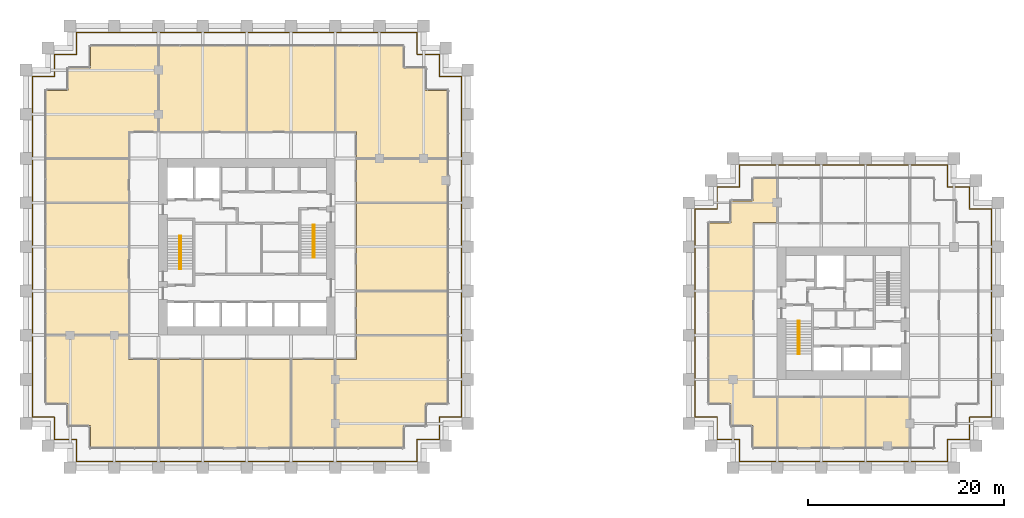
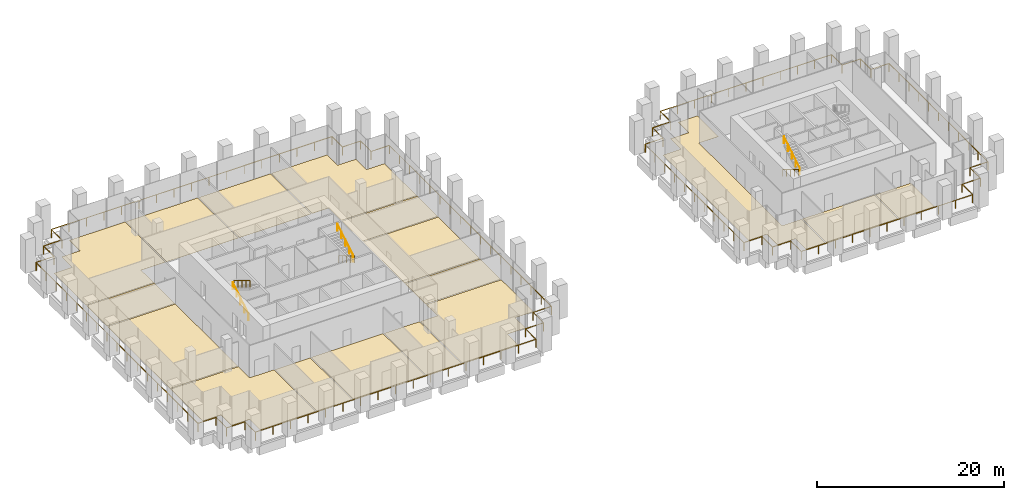
# One storey, part 35 of 36: 17 coverings, 8 railings.
"""IFC4 building model written with IfcOpenShell, lengths in metres."""

from ifc_helpers import new_model, si_unit, direction, frame, origin, origin_2d, place, context, subcontext, project, spatial, polyline, circle, outline, extrude, source, transform, mapped, material, layer, layer_set, type_object, element, save


model = new_model("IFC4")

# Units and contexts
model_context = context("Model", 3, precision=1e-05, world=origin(), true_north=direction((0.0, 1.0)))
body_context = subcontext(model_context, "Body", "Model", "MODEL_VIEW")
ifc_project = project(units=[si_unit("LENGTHUNIT", "METRE"), si_unit("AREAUNIT", "SQUARE_METRE"), si_unit("VOLUMEUNIT", "CUBIC_METRE"), si_unit("PLANEANGLEUNIT", "RADIAN"), si_unit("MASSUNIT", "GRAM", prefix="KILO")], contexts=[model_context])

# Site, building, storey
site_placement = place(None, origin())
site = spatial("IfcSite", under=ifc_project, at=site_placement, CompositionType="ELEMENT")
building_placement = place(site_placement, origin())
building = spatial("IfcBuilding", under=site, at=building_placement, Name="Altepetl Exchange Towers", CompositionType="ELEMENT")
storey_placement = place(building_placement, frame((0.0, 0.0, 25.39990234375)))
storey = spatial("IfcBuildingStorey", under=building, at=storey_placement, Name="L05", CompositionType="ELEMENT", Elevation=25.39990234375)

# Coverings
ifc_material_1 = material(Name="Carpet tile")
ifc_layer_1 = layer(ifc_material_1, 0.02001953125)
ifc_layer_set_1 = layer_set([ifc_layer_1], Name="Carpet tile")
covering_type_1 = type_object("IfcCoveringType", Name="Carpet tile floor", PredefinedType="FLOORING", material=ifc_layer_set_1)
covering_1_placement = place(storey_placement, origin())
element("IfcCovering", 1, at=covering_1_placement, inside=storey, type_object=covering_type_1, Name="Quiet room floor finish A05.03", PredefinedType="FLOORING", context=body_context, shape_type="SweptSolid", body=[
    extrude(outline(polyline([(44.9375, 29.0625), (44.9375, 38.03759765625), (40.5625, 38.03759765625), (40.5625, 29.0625), (44.9375, 29.0625)])), origin(), (0.0, 0.0, 1.0), 0.02001953125),
])
covering_2_placement = place(storey_placement, origin())
element("IfcCovering", 2, at=covering_2_placement, inside=storey, type_object=covering_type_1, Name="Pantry floor finish A05.05", PredefinedType="FLOORING", context=body_context, shape_type="SweptSolid", body=[
    extrude(outline(polyline([(58.4375, 29.0625), (58.4375, 38.03759765625), (54.0625, 38.03759765625), (54.0625, 29.0625), (58.4375, 29.0625)])), origin(), (0.0, 0.0, 1.0), 0.02001953125),
])
covering_3_placement = place(storey_placement, origin())
element("IfcCovering", 3, at=covering_3_placement, inside=storey, type_object=covering_type_1, Name="Open office floor finish A05.06", PredefinedType="FLOORING", context=body_context, shape_type="SweptSolid", body=[
    extrude(outline(polyline([(58.5625, 29.0625), (65.4375, 29.0625), (65.4375, 31.3125), (67.6875, 31.3125), (67.6875, 33.5625), (69.9375, 33.5625), (69.9375, 40.4375), (60.66259765625, 40.4375), (60.66259765625, 38.03759765625), (58.5625, 38.03759765625), (58.5625, 29.0625)])), origin(), (0.0, 0.0, 1.0), 0.02001953125),
])
covering_4_placement = place(storey_placement, origin())
element("IfcCovering", 4, at=covering_4_placement, inside=storey, type_object=covering_type_1, Name="Interview room floor finish A05.07", PredefinedType="FLOORING", context=body_context, shape_type="SweptSolid", body=[
    extrude(outline(polyline([(69.9375, 44.9375), (60.66259765625, 44.9375), (60.66259765625, 40.5625), (69.9375, 40.5625), (69.9375, 44.9375)])), origin(), (0.0, 0.0, 1.0), 0.02001953125),
])
covering_5_placement = place(storey_placement, origin())
element("IfcCovering", 5, at=covering_5_placement, inside=storey, type_object=covering_type_1, Name="Open office floor finish A05.11", PredefinedType="FLOORING", context=body_context, shape_type="SweptSolid", body=[
    extrude(outline(polyline([(49.5625, 69.9375), (49.5625, 61.262451171875), (58.4375, 61.262451171875), (58.4375, 69.9375), (49.5625, 69.9375)])), origin(), (0.0, 0.0, 1.0), 0.02001953125),
])
covering_6_placement = place(storey_placement, origin())
element("IfcCovering", 6, at=covering_6_placement, inside=storey, type_object=covering_type_1, Name="Meeting room floor finish A05.12", PredefinedType="FLOORING", context=body_context, shape_type="SweptSolid", body=[
    extrude(outline(polyline([(40.5625, 69.9375), (40.5625, 61.262451171875), (49.4375, 61.262451171875), (49.4375, 69.9375), (40.5625, 69.9375)])), origin(), (0.0, 0.0, 1.0), 0.02001953125),
])
covering_7_placement = place(storey_placement, origin())
element("IfcCovering", 7, at=covering_7_placement, inside=storey, type_object=covering_type_1, Name="Open office floor finish A05.13", PredefinedType="FLOORING", context=body_context, shape_type="SweptSolid", body=[
    extrude(outline(polyline([(33.5625, 67.6875), (31.3125, 67.6875), (31.3125, 65.4375), (29.0625, 65.4375), (29.0625, 58.5625), (37.4375, 58.5625), (37.4375, 61.262451171875), (40.4375, 61.262451171875), (40.4375, 69.9375), (33.5625, 69.9375), (33.5625, 67.6875)])), origin(), (0.0, 0.0, 1.0), 0.02001953125),
])
covering_8_placement = place(storey_placement, origin())
element("IfcCovering", 8, at=covering_8_placement, inside=storey, type_object=covering_type_1, Name="Open office floor finish B05.01", PredefinedType="FLOORING", context=body_context, shape_type="SweptSolid", body=[
    extrude(outline(polyline([(101.0625, 54.1875), (98.8125, 54.1875), (98.8125, 51.9375), (96.5625, 51.9375), (96.5625, 33.5625), (98.8125, 33.5625), (98.8125, 31.3125), (101.0625, 31.3125), (101.0625, 29.0625), (103.4375, 29.0625), (103.4375, 34.137451171875), (101.03759765625, 34.137451171875), (101.03759765625, 51.96240234375), (103.4375, 51.96240234375), (103.4375, 56.4375), (101.0625, 56.4375), (101.0625, 54.1875)])), origin(), (0.0, 0.0, 1.0), 0.02001953125),
])
covering_9_placement = place(storey_placement, origin())
element("IfcCovering", 9, at=covering_9_placement, inside=storey, type_object=covering_type_1, Name="Quiet room floor finish B05.03", PredefinedType="FLOORING", context=body_context, shape_type="SweptSolid", body=[
    extrude(outline(polyline([(116.9375, 29.0625), (116.9375, 34.137451171875), (112.5625, 34.137451171875), (112.5625, 29.0625), (116.9375, 29.0625)])), origin(), (0.0, 0.0, 1.0), 0.02001953125),
])
ifc_material_2 = material(Name="Calcium sulphate access floor panel")
ifc_layer_2 = layer(ifc_material_2, 0.0400390625)
ifc_layer_set_2 = layer_set([ifc_layer_2], Name="Calcium sulphate access floor panel")
covering_type_2 = type_object("IfcCoveringType", Name="Raised access floor panels", PredefinedType="FLOORING", material=ifc_layer_set_2)
covering_10_placement = place(storey_placement, origin())
element("IfcCovering", 10, at=covering_10_placement, inside=storey, type_object=covering_type_2, Name="Trading office floor finish A05.01", PredefinedType="FLOORING", context=body_context, shape_type="SweptSolid", body=[
    extrude(outline(polyline([(29.0625, 40.5625), (37.4375, 40.5625), (37.4375, 53.9375), (29.0625, 53.9375), (29.0625, 40.5625)])), origin(), (0.0, 0.0, 1.0), 0.0400390625),
])
covering_11_placement = place(storey_placement, origin())
element("IfcCovering", 11, at=covering_11_placement, inside=storey, type_object=covering_type_2, Name="Trading office floor finish A05.02", PredefinedType="FLOORING", context=body_context, shape_type="SweptSolid", body=[
    extrude(outline(polyline([(40.4375, 29.0625), (40.4375, 38.03759765625), (37.4375, 38.03759765625), (37.4375, 40.4375), (29.0625, 40.4375), (29.0625, 33.5625), (31.3125, 33.5625), (31.3125, 31.3125), (33.5625, 31.3125), (33.5625, 29.0625), (40.4375, 29.0625)])), origin(), (0.0, 0.0, 1.0), 0.0400390625),
])
covering_12_placement = place(storey_placement, origin())
element("IfcCovering", 12, at=covering_12_placement, inside=storey, type_object=covering_type_2, Name="Trading office floor finish A05.04", PredefinedType="FLOORING", context=body_context, shape_type="SweptSolid", body=[
    extrude(outline(polyline([(53.9375, 29.0625), (53.9375, 38.03759765625), (45.0625, 38.03759765625), (45.0625, 29.0625), (53.9375, 29.0625)])), origin(), (0.0, 0.0, 1.0), 0.0400390625),
])
covering_13_placement = place(storey_placement, origin())
element("IfcCovering", 13, at=covering_13_placement, inside=storey, type_object=covering_type_2, Name="Broker office floor finish A05.08", PredefinedType="FLOORING", context=body_context, shape_type="SweptSolid", body=[
    extrude(outline(polyline([(69.9375, 53.9375), (60.66259765625, 53.9375), (60.66259765625, 45.0625), (69.9375, 45.0625), (69.9375, 53.9375)])), origin(), (0.0, 0.0, 1.0), 0.0400390625),
])
covering_14_placement = place(storey_placement, origin())
element("IfcCovering", 14, at=covering_14_placement, inside=storey, type_object=covering_type_2, Name="Data room floor finish A05.09", PredefinedType="FLOORING", context=body_context, shape_type="SweptSolid", body=[
    extrude(outline(polyline([(69.9375, 58.4375), (60.66259765625, 58.4375), (60.66259765625, 54.0625), (69.9375, 54.0625), (69.9375, 58.4375)])), origin(), (0.0, 0.0, 1.0), 0.0400390625),
])
covering_15_placement = place(storey_placement, origin())
element("IfcCovering", 15, at=covering_15_placement, inside=storey, type_object=covering_type_2, Name="Broker office floor finish A05.10", PredefinedType="FLOORING", context=body_context, shape_type="SweptSolid", body=[
    extrude(outline(polyline([(58.5625, 69.9375), (58.5625, 61.262451171875), (60.66259765625, 61.262451171875), (60.66259765625, 58.5625), (69.9375, 58.5625), (69.9375, 65.4375), (67.6875, 65.4375), (67.6875, 67.6875), (65.4375, 67.6875), (65.4375, 69.9375), (58.5625, 69.9375)])), origin(), (0.0, 0.0, 1.0), 0.0400390625),
])
covering_16_placement = place(storey_placement, origin())
element("IfcCovering", 16, at=covering_16_placement, inside=storey, type_object=covering_type_2, Name="Data room floor finish A05.14", PredefinedType="FLOORING", context=body_context, shape_type="SweptSolid", body=[
    extrude(outline(polyline([(29.0625, 54.0625), (37.4375, 54.0625), (37.4375, 58.4375), (29.0625, 58.4375), (29.0625, 54.0625)])), origin(), (0.0, 0.0, 1.0), 0.0400390625),
])
covering_17_placement = place(storey_placement, origin())
element("IfcCovering", 17, at=covering_17_placement, inside=storey, type_object=covering_type_2, Name="Trading office floor finish B05.02", PredefinedType="FLOORING", context=body_context, shape_type="SweptSolid", body=[
    extrude(outline(polyline([(103.5625, 34.137451171875), (103.5625, 29.0625), (112.4375, 29.0625), (112.4375, 34.137451171875), (103.5625, 34.137451171875)])), origin(), (0.0, 0.0, 1.0), 0.0400390625),
])

# Railings
ifc_material_3 = material(Name="Steel S355", Category="steel")
railing_type_1 = type_object("IfcRailingType", Name="Guard 1100 steel posts and rail", PredefinedType="GUARDRAIL", material=ifc_material_3)
shared_shape_1 = source(origin(), body_context, "Body", "SweptSolid", [
    extrude(circle(Radius=0.02099609375, at=origin_2d()), origin(), (0.0, 0.0, 1.0), 1.052001953125),
])
railing_1_placement = place(storey_placement, frame((27.64990234375, 66.85009765625, 0.0)))
element("IfcRailing", 18, at=railing_1_placement, inside=storey, type_object=railing_type_1, Name="Loggia guard", PredefinedType="GUARDRAIL", context=body_context, shape_type="SweptSolid", body=[
    extrude(circle(Radius=0.02392578125, at=origin_2d()), frame((0.0, 0.0, 1.076171875), z_axis=(0.0, -1.0, 0.0), x_axis=(1.0, 0.0, 0.0)), (0.0, 0.0, 1.0), 34.7001953125),
    extrude(circle(Radius=0.02392578125, at=origin_2d()), frame((0.0, -34.7001953125, 1.076171875), z_axis=(1.0, 0.0, 0.0), x_axis=(0.0, 1.0, 0.0)), (0.0, 0.0, 1.0), 2.25),
    extrude(circle(Radius=0.02392578125, at=origin_2d()), frame((2.25, -34.7001953125, 1.076171875), z_axis=(0.0, -1.0, 0.0), x_axis=(1.0, 0.0, 0.0)), (0.0, 0.0, 1.0), 2.25),
    extrude(circle(Radius=0.02392578125, at=origin_2d()), frame((2.25, -36.9501953125, 1.076171875), z_axis=(1.0, 0.0, 0.0), x_axis=(0.0, 1.0, 0.0)), (0.0, 0.0, 1.0), 2.25),
    extrude(circle(Radius=0.02392578125, at=origin_2d()), frame((4.5, -36.9501953125, 1.076171875), z_axis=(0.0, -1.0, 0.0), x_axis=(1.0, 0.0, 0.0)), (0.0, 0.0, 1.0), 2.25),
    extrude(circle(Radius=0.02392578125, at=origin_2d()), frame((4.5, -39.2001953125, 1.076171875), z_axis=(1.0, 0.0, 0.0), x_axis=(0.0, 1.0, 0.0)), (0.0, 0.0, 1.0), 34.7001953125),
    extrude(circle(Radius=0.02392578125, at=origin_2d()), frame((39.2001953125, -39.2001953125, 1.076171875), z_axis=(0.0, 1.0, 0.0), x_axis=(-1.0, 0.0, 0.0)), (0.0, 0.0, 1.0), 2.25),
    extrude(circle(Radius=0.02392578125, at=origin_2d()), frame((39.2001953125, -36.9501953125, 1.076171875), z_axis=(1.0, 0.0, 0.0), x_axis=(0.0, 1.0, 0.0)), (0.0, 0.0, 1.0), 2.25),
    extrude(circle(Radius=0.02392578125, at=origin_2d()), frame((41.4501953125, -36.9501953125, 1.076171875), z_axis=(0.0, 1.0, 0.0), x_axis=(-1.0, 0.0, 0.0)), (0.0, 0.0, 1.0), 2.25),
    extrude(circle(Radius=0.02392578125, at=origin_2d()), frame((41.4501953125, -34.7001953125, 1.076171875), z_axis=(1.0, 0.0, 0.0), x_axis=(0.0, 1.0, 0.0)), (0.0, 0.0, 1.0), 2.25),
    extrude(circle(Radius=0.02392578125, at=origin_2d()), frame((43.7001953125, -34.7001953125, 1.076171875), z_axis=(0.0, 1.0, 0.0), x_axis=(-1.0, 0.0, 0.0)), (0.0, 0.0, 1.0), 34.7001953125),
    extrude(circle(Radius=0.02392578125, at=origin_2d()), frame((43.7001953125, 0.0, 1.076171875), z_axis=(-1.0, 0.0, 0.0), x_axis=(0.0, -1.0, 0.0)), (0.0, 0.0, 1.0), 2.25),
    extrude(circle(Radius=0.02392578125, at=origin_2d()), frame((41.4501953125, 0.0, 1.076171875), z_axis=(0.0, 1.0, 0.0), x_axis=(-1.0, 0.0, 0.0)), (0.0, 0.0, 1.0), 2.25),
    extrude(circle(Radius=0.02392578125, at=origin_2d()), frame((41.4501953125, 2.25, 1.076171875), z_axis=(-1.0, 0.0, 0.0), x_axis=(0.0, -1.0, 0.0)), (0.0, 0.0, 1.0), 2.25),
    extrude(circle(Radius=0.02392578125, at=origin_2d()), frame((39.2001953125, 2.25, 1.076171875), z_axis=(0.0, 1.0, 0.0), x_axis=(-1.0, 0.0, 0.0)), (0.0, 0.0, 1.0), 2.25),
    extrude(circle(Radius=0.02392578125, at=origin_2d()), frame((39.2001953125, 4.5, 1.076171875), z_axis=(-1.0, 0.0, 0.0), x_axis=(0.0, -1.0, 0.0)), (0.0, 0.0, 1.0), 34.7001953125),
    extrude(circle(Radius=0.02392578125, at=origin_2d()), frame((4.5, 4.5, 1.076171875), z_axis=(0.0, -1.0, 0.0), x_axis=(1.0, 0.0, 0.0)), (0.0, 0.0, 1.0), 2.25),
    extrude(circle(Radius=0.02392578125, at=origin_2d()), frame((4.5, 2.25, 1.076171875), z_axis=(-1.0, 0.0, 0.0), x_axis=(0.0, -1.0, 0.0)), (0.0, 0.0, 1.0), 2.25),
    extrude(circle(Radius=0.02392578125, at=origin_2d()), frame((2.25, 2.25, 1.076171875), z_axis=(0.0, -1.0, 0.0), x_axis=(1.0, 0.0, 0.0)), (0.0, 0.0, 1.0), 2.25),
    extrude(circle(Radius=0.02392578125, at=origin_2d()), frame((2.25, 0.0, 1.076171875), z_axis=(-1.0, 0.0, 0.0), x_axis=(0.0, -1.0, 0.0)), (0.0, 0.0, 1.0), 2.14990234375),
    mapped(shared_shape_1, transform((0.0, 0.0, 0.0))),
    mapped(shared_shape_1, transform((0.0, -2.168701171875, 0.0))),
    mapped(shared_shape_1, transform((0.0, -4.33740234375, 0.0))),
    mapped(shared_shape_1, transform((0.0, -6.50634765625, 0.0))),
    mapped(shared_shape_1, transform((0.0, -8.675048828125, 0.0))),
    mapped(shared_shape_1, transform((0.0, -10.84375, 0.0))),
    mapped(shared_shape_1, transform((0.0, -13.0126953125, 0.0))),
    mapped(shared_shape_1, transform((0.0, -15.181396484375, 0.0))),
    mapped(shared_shape_1, transform((0.0, -17.35009765625, 0.0))),
    mapped(shared_shape_1, transform((0.0, -19.518798828125, 0.0))),
    mapped(shared_shape_1, transform((0.0, -21.6875, 0.0))),
    mapped(shared_shape_1, transform((0.0, -23.8564453125, 0.0))),
    mapped(shared_shape_1, transform((0.0, -26.025146484375, 0.0))),
    mapped(shared_shape_1, transform((0.0, -28.19384765625, 0.0))),
    mapped(shared_shape_1, transform((0.0, -30.36279296875, 0.0))),
    mapped(shared_shape_1, transform((0.0, -32.531494140625, 0.0))),
    mapped(shared_shape_1, transform((0.0, -34.7001953125, 0.0))),
    mapped(shared_shape_1, transform((2.25, -34.7001953125, 0.0))),
    mapped(shared_shape_1, transform((2.25, -36.9501953125, 0.0))),
    mapped(shared_shape_1, transform((4.5, -36.9501953125, 0.0))),
    mapped(shared_shape_1, transform((4.5, -39.2001953125, 0.0))),
    mapped(shared_shape_1, transform((6.668701171875, -39.2001953125, 0.0))),
    mapped(shared_shape_1, transform((8.83740234375, -39.2001953125, 0.0))),
    mapped(shared_shape_1, transform((11.00634765625, -39.2001953125, 0.0))),
    mapped(shared_shape_1, transform((13.175048828125, -39.2001953125, 0.0))),
    mapped(shared_shape_1, transform((15.34375, -39.2001953125, 0.0))),
    mapped(shared_shape_1, transform((17.5126953125, -39.2001953125, 0.0))),
    mapped(shared_shape_1, transform((19.681396484375, -39.2001953125, 0.0))),
    mapped(shared_shape_1, transform((21.85009765625, -39.2001953125, 0.0))),
    mapped(shared_shape_1, transform((24.018798828125, -39.2001953125, 0.0))),
    mapped(shared_shape_1, transform((26.1875, -39.2001953125, 0.0))),
    mapped(shared_shape_1, transform((28.3564453125, -39.2001953125, 0.0))),
    mapped(shared_shape_1, transform((30.525146484375, -39.2001953125, 0.0))),
    mapped(shared_shape_1, transform((32.69384765625, -39.2001953125, 0.0))),
    mapped(shared_shape_1, transform((34.86279296875, -39.2001953125, 0.0))),
    mapped(shared_shape_1, transform((37.031494140625, -39.2001953125, 0.0))),
    mapped(shared_shape_1, transform((39.2001953125, -39.2001953125, 0.0))),
    mapped(shared_shape_1, transform((39.2001953125, -36.9501953125, 0.0))),
    mapped(shared_shape_1, transform((41.4501953125, -36.9501953125, 0.0))),
    mapped(shared_shape_1, transform((41.4501953125, -34.7001953125, 0.0))),
    mapped(shared_shape_1, transform((43.7001953125, -34.7001953125, 0.0))),
    mapped(shared_shape_1, transform((43.7001953125, -32.531494140625, 0.0))),
    mapped(shared_shape_1, transform((43.7001953125, -30.36279296875, 0.0))),
    mapped(shared_shape_1, transform((43.7001953125, -28.19384765625, 0.0))),
    mapped(shared_shape_1, transform((43.7001953125, -26.025146484375, 0.0))),
    mapped(shared_shape_1, transform((43.7001953125, -23.8564453125, 0.0))),
    mapped(shared_shape_1, transform((43.7001953125, -21.6875, 0.0))),
    mapped(shared_shape_1, transform((43.7001953125, -19.518798828125, 0.0))),
    mapped(shared_shape_1, transform((43.7001953125, -17.35009765625, 0.0))),
    mapped(shared_shape_1, transform((43.7001953125, -15.181396484375, 0.0))),
    mapped(shared_shape_1, transform((43.7001953125, -13.0126953125, 0.0))),
    mapped(shared_shape_1, transform((43.7001953125, -10.84375, 0.0))),
    mapped(shared_shape_1, transform((43.7001953125, -8.675048828125, 0.0))),
    mapped(shared_shape_1, transform((43.7001953125, -6.50634765625, 0.0))),
    mapped(shared_shape_1, transform((43.7001953125, -4.33740234375, 0.0))),
    mapped(shared_shape_1, transform((43.7001953125, -2.168701171875, 0.0))),
    mapped(shared_shape_1, transform((43.7001953125, 0.0, 0.0))),
    mapped(shared_shape_1, transform((41.4501953125, 0.0, 0.0))),
    mapped(shared_shape_1, transform((41.4501953125, 2.25, 0.0))),
    mapped(shared_shape_1, transform((39.2001953125, 2.25, 0.0))),
    mapped(shared_shape_1, transform((39.2001953125, 4.5, 0.0))),
    mapped(shared_shape_1, transform((37.031494140625, 4.5, 0.0))),
    mapped(shared_shape_1, transform((34.86279296875, 4.5, 0.0))),
    mapped(shared_shape_1, transform((32.69384765625, 4.5, 0.0))),
    mapped(shared_shape_1, transform((30.525146484375, 4.5, 0.0))),
    mapped(shared_shape_1, transform((28.3564453125, 4.5, 0.0))),
    mapped(shared_shape_1, transform((26.1875, 4.5, 0.0))),
    mapped(shared_shape_1, transform((24.018798828125, 4.5, 0.0))),
    mapped(shared_shape_1, transform((21.85009765625, 4.5, 0.0))),
    mapped(shared_shape_1, transform((19.681396484375, 4.5, 0.0))),
    mapped(shared_shape_1, transform((17.5126953125, 4.5, 0.0))),
    mapped(shared_shape_1, transform((15.34375, 4.5, 0.0))),
    mapped(shared_shape_1, transform((13.175048828125, 4.5, 0.0))),
    mapped(shared_shape_1, transform((11.00634765625, 4.5, 0.0))),
    mapped(shared_shape_1, transform((8.83740234375, 4.5, 0.0))),
    mapped(shared_shape_1, transform((6.668701171875, 4.5, 0.0))),
    mapped(shared_shape_1, transform((4.5, 4.5, 0.0))),
    mapped(shared_shape_1, transform((4.5, 2.25, 0.0))),
    mapped(shared_shape_1, transform((2.25, 2.25, 0.0))),
    mapped(shared_shape_1, transform((2.25, 0.0, 0.0))),
    mapped(shared_shape_1, transform((0.10009765625, 0.0, 0.0))),
])
railing_2_placement = place(storey_placement, frame((95.14990234375, 53.35009765625, 0.0)))
element("IfcRailing", 19, at=railing_2_placement, inside=storey, type_object=railing_type_1, Name="Loggia guard", PredefinedType="GUARDRAIL", context=body_context, shape_type="SweptSolid", body=[
    extrude(circle(Radius=0.02392578125, at=origin_2d()), frame((0.0, 0.0, 1.076171875), z_axis=(0.0, -1.0, 0.0), x_axis=(1.0, 0.0, 0.0)), (0.0, 0.0, 1.0), 21.2001953125),
    extrude(circle(Radius=0.02392578125, at=origin_2d()), frame((0.0, -21.2001953125, 1.076171875), z_axis=(1.0, 0.0, 0.0), x_axis=(0.0, 1.0, 0.0)), (0.0, 0.0, 1.0), 2.25),
    extrude(circle(Radius=0.02392578125, at=origin_2d()), frame((2.25, -21.2001953125, 1.076171875), z_axis=(0.0, -1.0, 0.0), x_axis=(1.0, 0.0, 0.0)), (0.0, 0.0, 1.0), 2.25),
    extrude(circle(Radius=0.02392578125, at=origin_2d()), frame((2.25, -23.4501953125, 1.076171875), z_axis=(1.0, 0.0, 0.0), x_axis=(0.0, 1.0, 0.0)), (0.0, 0.0, 1.0), 2.25),
    extrude(circle(Radius=0.02392578125, at=origin_2d()), frame((4.5, -23.4501953125, 1.076171875), z_axis=(0.0, -1.0, 0.0), x_axis=(1.0, 0.0, 0.0)), (0.0, 0.0, 1.0), 2.25),
    extrude(circle(Radius=0.02392578125, at=origin_2d()), frame((4.5, -25.7001953125, 1.076171875), z_axis=(1.0, 0.0, 0.0), x_axis=(0.0, 1.0, 0.0)), (0.0, 0.0, 1.0), 21.2001953125),
    extrude(circle(Radius=0.02392578125, at=origin_2d()), frame((25.7001953125, -25.7001953125, 1.076171875), z_axis=(0.0, 1.0, 0.0), x_axis=(-1.0, 0.0, 0.0)), (0.0, 0.0, 1.0), 2.25),
    extrude(circle(Radius=0.02392578125, at=origin_2d()), frame((25.7001953125, -23.4501953125, 1.076171875), z_axis=(1.0, 0.0, 0.0), x_axis=(0.0, 1.0, 0.0)), (0.0, 0.0, 1.0), 2.25),
    extrude(circle(Radius=0.02392578125, at=origin_2d()), frame((27.9501953125, -23.4501953125, 1.076171875), z_axis=(0.0, 1.0, 0.0), x_axis=(-1.0, 0.0, 0.0)), (0.0, 0.0, 1.0), 2.25),
    extrude(circle(Radius=0.02392578125, at=origin_2d()), frame((27.9501953125, -21.2001953125, 1.076171875), z_axis=(1.0, 0.0, 0.0), x_axis=(0.0, 1.0, 0.0)), (0.0, 0.0, 1.0), 2.25),
    extrude(circle(Radius=0.02392578125, at=origin_2d()), frame((30.2001953125, -21.2001953125, 1.076171875), z_axis=(0.0, 1.0, 0.0), x_axis=(-1.0, 0.0, 0.0)), (0.0, 0.0, 1.0), 21.2001953125),
    extrude(circle(Radius=0.02392578125, at=origin_2d()), frame((30.2001953125, 0.0, 1.076171875), z_axis=(-1.0, 0.0, 0.0), x_axis=(0.0, -1.0, 0.0)), (0.0, 0.0, 1.0), 2.25),
    extrude(circle(Radius=0.02392578125, at=origin_2d()), frame((27.9501953125, 0.0, 1.076171875), z_axis=(0.0, 1.0, 0.0), x_axis=(-1.0, 0.0, 0.0)), (0.0, 0.0, 1.0), 2.25),
    extrude(circle(Radius=0.02392578125, at=origin_2d()), frame((27.9501953125, 2.25, 1.076171875), z_axis=(-1.0, 0.0, 0.0), x_axis=(0.0, -1.0, 0.0)), (0.0, 0.0, 1.0), 2.25),
    extrude(circle(Radius=0.02392578125, at=origin_2d()), frame((25.7001953125, 2.25, 1.076171875), z_axis=(0.0, 1.0, 0.0), x_axis=(-1.0, 0.0, 0.0)), (0.0, 0.0, 1.0), 2.25),
    extrude(circle(Radius=0.02392578125, at=origin_2d()), frame((25.7001953125, 4.5, 1.076171875), z_axis=(-1.0, 0.0, 0.0), x_axis=(0.0, -1.0, 0.0)), (0.0, 0.0, 1.0), 21.2001953125),
    extrude(circle(Radius=0.02392578125, at=origin_2d()), frame((4.5, 4.5, 1.076171875), z_axis=(0.0, -1.0, 0.0), x_axis=(1.0, 0.0, 0.0)), (0.0, 0.0, 1.0), 2.25),
    extrude(circle(Radius=0.02392578125, at=origin_2d()), frame((4.5, 2.25, 1.076171875), z_axis=(-1.0, 0.0, 0.0), x_axis=(0.0, -1.0, 0.0)), (0.0, 0.0, 1.0), 2.25),
    extrude(circle(Radius=0.02392578125, at=origin_2d()), frame((2.25, 2.25, 1.076171875), z_axis=(0.0, -1.0, 0.0), x_axis=(1.0, 0.0, 0.0)), (0.0, 0.0, 1.0), 2.25),
    extrude(circle(Radius=0.02392578125, at=origin_2d()), frame((2.25, 0.0, 1.076171875), z_axis=(-1.0, 0.0, 0.0), x_axis=(0.0, -1.0, 0.0)), (0.0, 0.0, 1.0), 2.14990234375),
    mapped(shared_shape_1, transform((0.0, 0.0, 0.0))),
    mapped(shared_shape_1, transform((0.0, -2.1201171875, 0.0))),
    mapped(shared_shape_1, transform((0.0, -4.239990234375, 0.0))),
    mapped(shared_shape_1, transform((0.0, -6.360107421875, 0.0))),
    mapped(shared_shape_1, transform((0.0, -8.47998046875, 0.0))),
    mapped(shared_shape_1, transform((0.0, -10.60009765625, 0.0))),
    mapped(shared_shape_1, transform((0.0, -12.72021484375, 0.0))),
    mapped(shared_shape_1, transform((0.0, -14.840087890625, 0.0))),
    mapped(shared_shape_1, transform((0.0, -16.960205078125, 0.0))),
    mapped(shared_shape_1, transform((0.0, -19.080078125, 0.0))),
    mapped(shared_shape_1, transform((0.0, -21.2001953125, 0.0))),
    mapped(shared_shape_1, transform((2.25, -21.2001953125, 0.0))),
    mapped(shared_shape_1, transform((2.25, -23.4501953125, 0.0))),
    mapped(shared_shape_1, transform((4.5, -23.4501953125, 0.0))),
    mapped(shared_shape_1, transform((4.5, -25.7001953125, 0.0))),
    mapped(shared_shape_1, transform((6.6201171875, -25.7001953125, 0.0))),
    mapped(shared_shape_1, transform((8.739990234375, -25.7001953125, 0.0))),
    mapped(shared_shape_1, transform((10.860107421875, -25.7001953125, 0.0))),
    mapped(shared_shape_1, transform((12.97998046875, -25.7001953125, 0.0))),
    mapped(shared_shape_1, transform((15.10009765625, -25.7001953125, 0.0))),
    mapped(shared_shape_1, transform((17.22021484375, -25.7001953125, 0.0))),
    mapped(shared_shape_1, transform((19.340087890625, -25.7001953125, 0.0))),
    mapped(shared_shape_1, transform((21.460205078125, -25.7001953125, 0.0))),
    mapped(shared_shape_1, transform((23.580078125, -25.7001953125, 0.0))),
    mapped(shared_shape_1, transform((25.7001953125, -25.7001953125, 0.0))),
    mapped(shared_shape_1, transform((25.7001953125, -23.4501953125, 0.0))),
    mapped(shared_shape_1, transform((27.9501953125, -23.4501953125, 0.0))),
    mapped(shared_shape_1, transform((27.9501953125, -21.2001953125, 0.0))),
    mapped(shared_shape_1, transform((30.2001953125, -21.2001953125, 0.0))),
    mapped(shared_shape_1, transform((30.2001953125, -19.080078125, 0.0))),
    mapped(shared_shape_1, transform((30.2001953125, -16.960205078125, 0.0))),
    mapped(shared_shape_1, transform((30.2001953125, -14.840087890625, 0.0))),
    mapped(shared_shape_1, transform((30.2001953125, -12.72021484375, 0.0))),
    mapped(shared_shape_1, transform((30.2001953125, -10.60009765625, 0.0))),
    mapped(shared_shape_1, transform((30.2001953125, -8.47998046875, 0.0))),
    mapped(shared_shape_1, transform((30.2001953125, -6.360107421875, 0.0))),
    mapped(shared_shape_1, transform((30.2001953125, -4.239990234375, 0.0))),
    mapped(shared_shape_1, transform((30.2001953125, -2.1201171875, 0.0))),
    mapped(shared_shape_1, transform((30.2001953125, 0.0, 0.0))),
    mapped(shared_shape_1, transform((27.9501953125, 0.0, 0.0))),
    mapped(shared_shape_1, transform((27.9501953125, 2.25, 0.0))),
    mapped(shared_shape_1, transform((25.7001953125, 2.25, 0.0))),
    mapped(shared_shape_1, transform((25.7001953125, 4.5, 0.0))),
    mapped(shared_shape_1, transform((23.580078125, 4.5, 0.0))),
    mapped(shared_shape_1, transform((21.460205078125, 4.5, 0.0))),
    mapped(shared_shape_1, transform((19.340087890625, 4.5, 0.0))),
    mapped(shared_shape_1, transform((17.22021484375, 4.5, 0.0))),
    mapped(shared_shape_1, transform((15.10009765625, 4.5, 0.0))),
    mapped(shared_shape_1, transform((12.97998046875, 4.5, 0.0))),
    mapped(shared_shape_1, transform((10.860107421875, 4.5, 0.0))),
    mapped(shared_shape_1, transform((8.739990234375, 4.5, 0.0))),
    mapped(shared_shape_1, transform((6.6201171875, 4.5, 0.0))),
    mapped(shared_shape_1, transform((4.5, 4.5, 0.0))),
    mapped(shared_shape_1, transform((4.5, 2.25, 0.0))),
    mapped(shared_shape_1, transform((2.25, 2.25, 0.0))),
    mapped(shared_shape_1, transform((2.25, 0.0, 0.0))),
    mapped(shared_shape_1, transform((0.10009765625, 0.0, 0.0))),
])
ifc_material_4 = material(Name="Steel", Category="steel")
railing_type_2 = type_object("IfcRailingType", Name="Stair handrail 50 steel tube", PredefinedType="HANDRAIL", material=ifc_material_4)
shared_shape_2 = source(origin(), body_context, "Body", "SweptSolid", [
    extrude(circle(Radius=0.02099609375, at=origin_2d()), origin(), (0.0, 0.0, 1.0), 0.851806640625),
])
railing_3_placement = place(storey_placement, frame((42.6201171875, 47.25, 0.169189453125)))
element("IfcRailing", 20, at=railing_3_placement, inside=storey, type_object=railing_type_2, Name="Stair handrail", PredefinedType="HANDRAIL", context=body_context, shape_type="SweptSolid", body=[
    extrude(circle(Radius=0.02392578125, at=origin_2d()), frame((0.0, 0.0, 0.8759765625), z_axis=(0.0, 0.855809448938, 0.517291201461), x_axis=(-1.0, 0.0, 0.0)), (0.0, 0.0, 1.0), 3.92626953125),
    mapped(shared_shape_2, transform((0.0, 0.0, 0.0))),
    mapped(shared_shape_2, transform((0.0, 0.840087890625, 0.5078125))),
    mapped(shared_shape_2, transform((0.0, 1.68017578125, 1.015625))),
    mapped(shared_shape_2, transform((0.0, 2.52001953125, 1.523193359375))),
    mapped(shared_shape_2, transform((0.0, 3.360107421875, 2.031005859375))),
])
railing_4_placement = place(storey_placement, frame((42.780029296875, 50.610107421875, 2.369384765625)))
element("IfcRailing", 21, at=railing_4_placement, inside=storey, type_object=railing_type_2, Name="Stair handrail", PredefinedType="HANDRAIL", context=body_context, shape_type="SweptSolid", body=[
    extrude(circle(Radius=0.02392578125, at=origin_2d()), frame((0.0, 0.0, 0.8759765625), z_axis=(0.0, -0.855836976705, 0.517245656632), x_axis=(1.0, 0.0, 0.0)), (0.0, 0.0, 1.0), 3.926025390625),
    mapped(shared_shape_2, transform((0.0, 0.0, 0.0))),
    mapped(shared_shape_2, transform((0.0, -0.840087890625, 0.5078125))),
    mapped(shared_shape_2, transform((0.0, -1.68017578125, 1.015380859375))),
    mapped(shared_shape_2, transform((0.0, -2.52001953125, 1.52294921875))),
    mapped(shared_shape_2, transform((0.0, -3.360107421875, 2.03076171875))),
])
railing_5_placement = place(storey_placement, frame((56.3798828125, 51.75, 0.169189453125)))
element("IfcRailing", 22, at=railing_5_placement, inside=storey, type_object=railing_type_2, Name="Stair handrail", PredefinedType="HANDRAIL", context=body_context, shape_type="SweptSolid", body=[
    extrude(circle(Radius=0.02392578125, at=origin_2d()), frame((0.0, 0.0, 0.8759765625), z_axis=(0.0, -0.855809448938, 0.517291201461), x_axis=(1.0, 0.0, 0.0)), (0.0, 0.0, 1.0), 3.92626953125),
    mapped(shared_shape_2, transform((0.0, 0.0, 0.0))),
    mapped(shared_shape_2, transform((0.0, -0.840087890625, 0.5078125))),
    mapped(shared_shape_2, transform((0.0, -1.68017578125, 1.015625))),
    mapped(shared_shape_2, transform((0.0, -2.52001953125, 1.523193359375))),
    mapped(shared_shape_2, transform((0.0, -3.360107421875, 2.031005859375))),
])
railing_6_placement = place(storey_placement, frame((56.219970703125, 48.389892578125, 2.369384765625)))
element("IfcRailing", 23, at=railing_6_placement, inside=storey, type_object=railing_type_2, Name="Stair handrail", PredefinedType="HANDRAIL", context=body_context, shape_type="SweptSolid", body=[
    extrude(circle(Radius=0.02392578125, at=origin_2d()), frame((0.0, 0.0, 0.8759765625), z_axis=(0.0, 0.855836976705, 0.517245656632), x_axis=(-1.0, 0.0, 0.0)), (0.0, 0.0, 1.0), 3.926025390625),
    mapped(shared_shape_2, transform((0.0, 0.0, 0.0))),
    mapped(shared_shape_2, transform((0.0, 0.840087890625, 0.5078125))),
    mapped(shared_shape_2, transform((0.0, 1.68017578125, 1.015380859375))),
    mapped(shared_shape_2, transform((0.0, 2.52001953125, 1.52294921875))),
    mapped(shared_shape_2, transform((0.0, 3.360107421875, 2.03076171875))),
])
railing_7_placement = place(storey_placement, frame((105.6201171875, 41.949951171875, 0.169189453125)))
element("IfcRailing", 24, at=railing_7_placement, inside=storey, type_object=railing_type_2, Name="Stair handrail", PredefinedType="HANDRAIL", context=body_context, shape_type="SweptSolid", body=[
    extrude(circle(Radius=0.02392578125, at=origin_2d()), frame((0.0, 0.0, 0.8759765625), z_axis=(0.0, -0.855792808344, 0.517318730752), x_axis=(1.0, 0.0, 0.0)), (0.0, 0.0, 1.0), 3.926025390625),
    mapped(shared_shape_2, transform((0.0, 0.0, 0.0))),
    mapped(shared_shape_2, transform((0.0, -0.83984375, 0.5078125))),
    mapped(shared_shape_2, transform((0.0, -1.679931640625, 1.015625))),
    mapped(shared_shape_2, transform((0.0, -2.52001953125, 1.523193359375))),
    mapped(shared_shape_2, transform((0.0, -3.35986328125, 2.031005859375))),
])
railing_8_placement = place(storey_placement, frame((105.780029296875, 38.590087890625, 2.369384765625)))
element("IfcRailing", 25, at=railing_8_placement, inside=storey, type_object=railing_type_2, Name="Stair handrail", PredefinedType="HANDRAIL", context=body_context, shape_type="SweptSolid", body=[
    extrude(circle(Radius=0.02392578125, at=origin_2d()), frame((0.0, 0.0, 0.8759765625), z_axis=(0.0, 0.855820338506, 0.51727318527), x_axis=(-1.0, 0.0, 0.0)), (0.0, 0.0, 1.0), 3.92578125),
    mapped(shared_shape_2, transform((0.0, 0.0, 0.0))),
    mapped(shared_shape_2, transform((0.0, 0.83984375, 0.5078125))),
    mapped(shared_shape_2, transform((0.0, 1.679931640625, 1.015380859375))),
    mapped(shared_shape_2, transform((0.0, 2.52001953125, 1.52294921875))),
    mapped(shared_shape_2, transform((0.0, 3.35986328125, 2.03076171875))),
])

save(model, "model.ifc")
